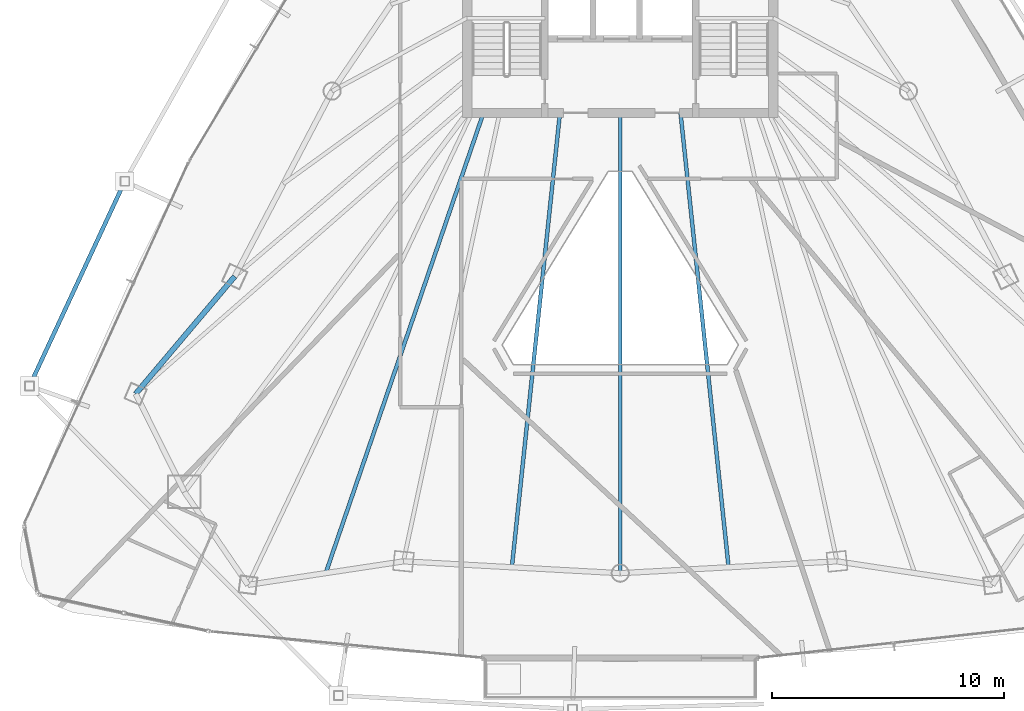
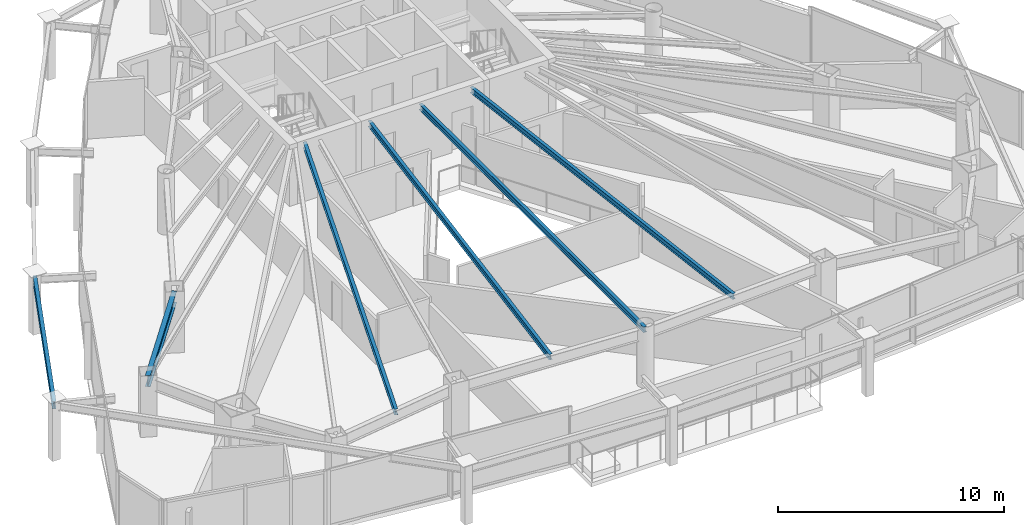
# One storey, part 8 of 31: 6 beams.
"""IFC4 building model written with IfcOpenShell, lengths in metres."""

from ifc_helpers import new_model, si_unit, direction, frame, origin, origin_2d, place, context, subcontext, project, spatial, i_section, extrude, material, material_profile, profile_set, type_object, element, save


model = new_model("IFC4")

# Units and contexts
model_context = context("Model", 3, precision=1e-05, world=origin(), true_north=direction((0.0, 1.0)))
body_context = subcontext(model_context, "Body", "Model", "MODEL_VIEW")
ifc_project = project(units=[si_unit("LENGTHUNIT", "METRE"), si_unit("AREAUNIT", "SQUARE_METRE"), si_unit("VOLUMEUNIT", "CUBIC_METRE"), si_unit("PLANEANGLEUNIT", "RADIAN"), si_unit("MASSUNIT", "GRAM", prefix="KILO")], contexts=[model_context])

# Site, building, storey
site_placement = place(None, origin())
site = spatial("IfcSite", under=ifc_project, at=site_placement, CompositionType="ELEMENT")
building_placement = place(site_placement, origin())
building = spatial("IfcBuilding", under=site, at=building_placement, Name="Orvanel Arch Residences", CompositionType="ELEMENT")
storey_placement = place(building_placement, frame((0.0, 0.0, 133.10009765625)))
storey = spatial("IfcBuildingStorey", under=building, at=storey_placement, Name="L37", CompositionType="ELEMENT", Elevation=133.10009765625)

# Beams
ifc_material = material(Name="Structural steel AS/NZS 3679.1 Grade 300 (300 MPa)", Category="steel")
ifc_material_profile_1 = material_profile(ifc_material, i_section(OverallWidth=0.1650390625, OverallDepth=0.303955078125, WebThickness=0.006103515625, FlangeThickness=0.01025390625, at=origin_2d()), Name="310UB40.4")
ifc_profile_set_1 = profile_set([ifc_material_profile_1], Name="Structural steel AS/NZS 3679.1 Grade 300 (300 MPa)")
beam_type_1 = type_object("IfcBeamType", Name="BJ-310UB", PredefinedType="JOIST", material=ifc_profile_set_1)
beam_1_placement = place(storey_placement, frame((33.0, 26.699951171875, 2.907958984375), z_axis=(0.0, -1.0, 0.0), x_axis=(1.0, 0.0, 0.0)))
element("IfcBeam", 1, at=beam_1_placement, inside=storey, type_object=beam_type_1, Name="L37 SSW Wing Floor Joist", PredefinedType="JOIST", context=body_context, shape_type="SweptSolid", body=[
    extrude(i_section(OverallWidth=0.1650390625, OverallDepth=0.303955078125, WebThickness=0.006103515625, FlangeThickness=0.01025390625, at=origin_2d()), origin(), (0.0, 0.0, 1.0), 19.85595703125),
])
for number, where, z_axis, x_axis, name in (
    (2, (30.39990234375, 26.699951171875, 2.907958984375), (-0.105277340935, -0.994442900063, 0.0), (0.994442900063, -0.105277340935, 0.0), "L37 WSW2 Wing Floor Joist"),
    (3, (35.60009765625, 26.699951171875, 2.907958984375), (0.105277340935, -0.994442900063, 0.0), (0.994442900063, 0.105277340935, 0.0), "L37 ESE2 Wing Floor Joist"),
):
    element("IfcBeam", number, at=place(storey_placement, frame(where, z_axis=z_axis, x_axis=x_axis)), inside=storey, type_object=beam_type_1, Name=name, PredefinedType="JOIST", context=body_context, shape_type="SweptSolid", body=[
        extrude(i_section(OverallWidth=0.1650390625, OverallDepth=0.303955078125, WebThickness=0.006103515625, FlangeThickness=0.01025390625, at=origin_2d()), origin(), (0.0, 0.0, 1.0), 19.70947265625),
    ])
beam_2_placement = place(storey_placement, frame((27.10009765625, 26.699951171875, 2.907958984375), z_axis=(-0.324257108963, -0.945968988544, 0.0), x_axis=(0.945968988544, -0.324257108963, 0.0)))
element("IfcBeam", 4, at=beam_2_placement, inside=storey, type_object=beam_type_1, Name="L37 JADD1 Wing Floor Joist", PredefinedType="JOIST", context=body_context, shape_type="SweptSolid", body=[
    extrude(i_section(OverallWidth=0.1650390625, OverallDepth=0.303955078125, WebThickness=0.006103515625, FlangeThickness=0.01025390625, at=origin_2d()), origin(), (0.0, 0.0, 1.0), 20.987060546875),
])
ifc_material_profile_2 = material_profile(ifc_material, i_section(OverallWidth=0.177978515625, OverallDepth=0.406005859375, WebThickness=0.0078125, FlangeThickness=0.0126953125, at=origin_2d()), Name="410UB59.7")
ifc_profile_set_2 = profile_set([ifc_material_profile_2], Name="Structural steel AS/NZS 3679.1 Grade 300 (300 MPa)")
beam_type_2 = type_object("IfcBeamType", Name="OB-410UB-EXT", PredefinedType="SPANDREL", material=ifc_profile_set_2)
beam_3_placement = place(storey_placement, frame((11.6279296875, 23.751953125, 2.85693359375), z_axis=(-0.421938673607, -0.906624374101, 0.0), x_axis=(0.906624374101, -0.421938673607, 0.0)))
element("IfcBeam", 5, at=beam_3_placement, inside=storey, type_object=beam_type_2, Name="L37 Outer Perimeter Floor Ring Beam 03", PredefinedType="SPANDREL", context=body_context, shape_type="SweptSolid", body=[
    extrude(i_section(OverallWidth=0.177978515625, OverallDepth=0.406005859375, WebThickness=0.0078125, FlangeThickness=0.0126953125, at=origin_2d()), origin(), (0.0, 0.0, 1.0), 9.74267578125),
])
ifc_material_profile_3 = material_profile(ifc_material, i_section(OverallWidth=0.22900390625, OverallDepth=0.612060546875, WebThickness=0.011962890625, FlangeThickness=0.01953125, at=origin_2d()), Name="610UB125")
ifc_profile_set_3 = profile_set([ifc_material_profile_3], Name="Structural steel AS/NZS 3679.1 Grade 300 (300 MPa)")
beam_type_3 = type_object("IfcBeamType", Name="SP-610UB", PredefinedType="SPANDREL", material=ifc_profile_set_3)
beam_4_placement = place(storey_placement, frame((16.366943359375, 19.64208984375, 2.75390625), z_axis=(-0.644950329775, -0.764224490659, 0.0), x_axis=(0.764224490659, -0.644950329775, 0.0)))
element("IfcBeam", 6, at=beam_4_placement, inside=storey, type_object=beam_type_3, Name="L37 Perimeter Spandrel Beam 01", PredefinedType="SPANDREL", context=body_context, shape_type="SweptSolid", body=[
    extrude(i_section(OverallWidth=0.22900390625, OverallDepth=0.612060546875, WebThickness=0.011962890625, FlangeThickness=0.01953125, at=origin_2d()), origin(), (0.0, 0.0, 1.0), 6.623779296875),
])

save(model, "model.ifc")
